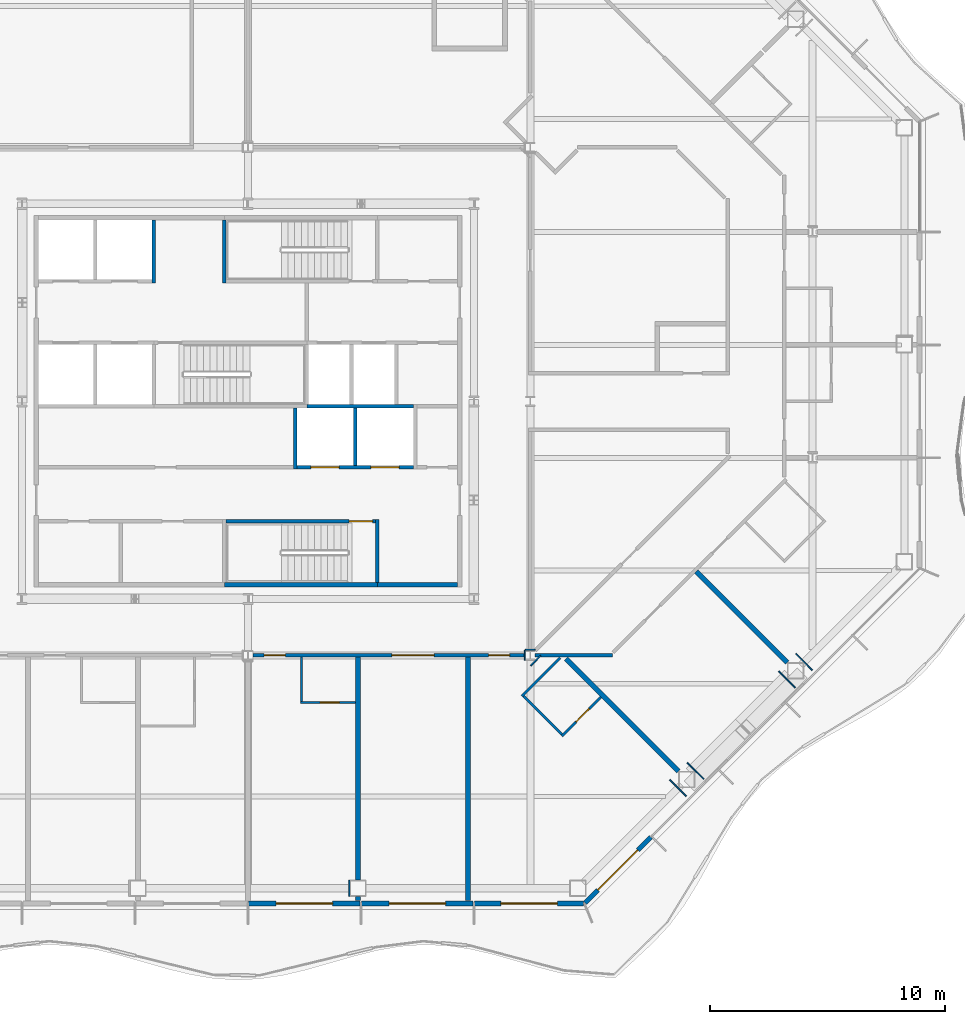
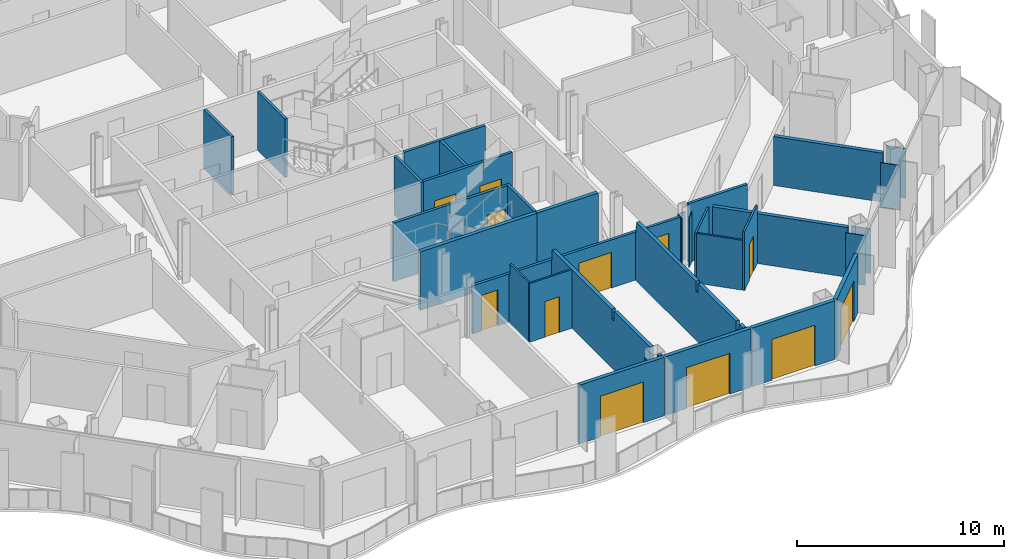
# One storey, part 9 of 21: 34 walls, 12 doors, 12 openings.
"""IFC4 building model written with IfcOpenShell, lengths in metres."""

from ifc_helpers import new_model, si_unit, direction, frame, frame_2d, origin, place, context, subcontext, project, spatial, polyline, rectangle, outline, extrude, material, layer, layer_set, type_object, element, fill, save


model = new_model("IFC4")

# Units and contexts
model_context = context("Model", 3, precision=1e-05, world=origin(), true_north=direction((0.0, 1.0)))
body_context = subcontext(model_context, "Body", "Model", "MODEL_VIEW")
ifc_project = project(units=[si_unit("LENGTHUNIT", "METRE"), si_unit("AREAUNIT", "SQUARE_METRE"), si_unit("VOLUMEUNIT", "CUBIC_METRE"), si_unit("PLANEANGLEUNIT", "RADIAN"), si_unit("MASSUNIT", "GRAM", prefix="KILO")], contexts=[model_context])

# Site, building, storey
site_placement = place(None, origin())
site = spatial("IfcSite", under=ifc_project, at=site_placement, CompositionType="ELEMENT")
building_placement = place(site_placement, origin())
building = spatial("IfcBuilding", under=site, at=building_placement, Name="Cairn Pilgrim Tower", CompositionType="ELEMENT")
storey_placement = place(building_placement, frame((0.0, 0.0, 143.39990234375)))
storey = spatial("IfcBuildingStorey", under=building, at=storey_placement, Name="L35", CompositionType="ELEMENT", Elevation=143.39990234375)

# Wall, opening, door
ifc_material_1 = material(Name="Bronze anodised aluminium insulated sandwich panel with mineral wool fill", Category="aluminium")
ifc_layer_1 = layer(ifc_material_1, 0.199951171875)
ifc_layer_set_1 = layer_set([ifc_layer_1], Name="BRONZE INFILL FRAME WALL 200")
wall_type_1 = type_object("IfcWallType", Name="BRONZE INFILL FRAME WALL 200", PredefinedType="NOTDEFINED", material=ifc_layer_set_1)
wall_1_placement = place(storey_placement, frame((7.22998046875, -18.949951171875, 0.0), z_axis=(0.0, 0.0, 1.0), x_axis=(1.0, 0.0, 0.0)))
wall_1 = element("IfcWall", 1, at=wall_1_placement, inside=storey, type_object=wall_type_1, Name="Bronze infill frame wall IW-S4", PredefinedType="NOTDEFINED", context=body_context, shape_type="SweptSolid", body=[
    extrude(rectangle(XDim=4.739990234375, YDim=0.199951171875, at=frame_2d((2.3701171875, 0.0))), origin(), (0.0, 0.0, 1.0), 3.4501953125),
])
opening_1_placement = place(wall_1_placement, frame((1.169921875, 0.0, 0.0)))
opening_1 = element("IfcOpeningElement", 2, at=opening_1_placement, cuts=wall_1, Name="Opening 3501B", PredefinedType="OPENING", context=body_context, shape_type="SweptSolid", body=[
    extrude(rectangle(XDim=2.39990234375, YDim=2.39990234375, at=frame_2d((1.199951171875, 1.199951171875))), frame((0.0, 0.10986328125, 0.0), z_axis=(0.0, -1.0, 0.0), x_axis=(1.0, 0.0, 0.0)), (0.0, 0.0, 1.0), 0.219970703125),
])
ifc_material_2 = material(Name="Bronze anodised aluminium frame with tinted low-E glass", Category="aluminium")
door_type_1 = type_object("IfcDoorType", Name="BALCONY SLIDING DOOR 2400x2400", OperationType="DOUBLE_DOOR_SLIDING", PredefinedType="DOOR", material=ifc_material_2)
door_1_placement = place(opening_1_placement, origin())
door_1 = element("IfcDoor", 3, at=door_1_placement, inside=storey, type_object=door_type_1, Name="Balcony sliding door 3501B", OperationType="SINGLE_SWING_LEFT", OverallHeight=2.39990234375, OverallWidth=2.39990234375, PredefinedType="DOOR", context=body_context, shape_type="SweptSolid", body=[
    extrude(rectangle(XDim=2.39990234375, YDim=2.39990234375, at=frame_2d((1.199951171875, 1.199951171875))), frame((0.0, 0.02490234375, 0.0), z_axis=(0.0, -1.0, 0.0), x_axis=(1.0, 0.0, 0.0)), (0.0, 0.0, 1.0), 0.050048828125),
])
fill(opening_1, door_1)

wall_2_placement = place(storey_placement, frame((12.030029296875, -18.949951171875, 0.0), z_axis=(0.0, 0.0, 1.0), x_axis=(1.0, 0.0, 0.0)))
wall_2 = element("IfcWall", 4, at=wall_2_placement, inside=storey, type_object=wall_type_1, Name="Bronze infill frame wall IW-S5", PredefinedType="NOTDEFINED", context=body_context, shape_type="SweptSolid", body=[
    extrude(rectangle(XDim=4.739990234375, YDim=0.199951171875, at=frame_2d((2.3701171875, 0.0))), origin(), (0.0, 0.0, 1.0), 3.4501953125),
])
opening_2_placement = place(wall_2_placement, frame((1.169677734375, 0.0, 0.0)))
opening_2 = element("IfcOpeningElement", 5, at=opening_2_placement, cuts=wall_2, Name="Opening 3502B", PredefinedType="OPENING", context=body_context, shape_type="SweptSolid", body=[
    extrude(rectangle(XDim=2.39990234375, YDim=2.39990234375, at=frame_2d((1.199951171875, 1.199951171875))), frame((0.0, 0.10986328125, 0.0), z_axis=(0.0, -1.0, 0.0), x_axis=(1.0, 0.0, 0.0)), (0.0, 0.0, 1.0), 0.219970703125),
])
door_2_placement = place(opening_2_placement, origin())
door_2 = element("IfcDoor", 6, at=door_2_placement, inside=storey, type_object=door_type_1, Name="Balcony sliding door 3502B", OperationType="SINGLE_SWING_LEFT", OverallHeight=2.39990234375, OverallWidth=2.39990234375, PredefinedType="DOOR", context=body_context, shape_type="SweptSolid", body=[
    extrude(rectangle(XDim=2.39990234375, YDim=2.39990234375, at=frame_2d((1.199951171875, 1.199951171875))), frame((0.0, 0.02490234375, 0.0), z_axis=(0.0, -1.0, 0.0), x_axis=(1.0, 0.0, 0.0)), (0.0, 0.0, 1.0), 0.050048828125),
])
fill(opening_2, door_2)

wall_3_placement = place(storey_placement, frame((16.830078125, -18.949951171875, 0.0), z_axis=(0.0, 0.0, 1.0), x_axis=(1.0, 0.0, 0.0)))
wall_3 = element("IfcWall", 7, at=wall_3_placement, inside=storey, type_object=wall_type_1, Name="Bronze infill frame wall IW-S6", PredefinedType="NOTDEFINED", context=body_context, shape_type="SweptSolid", body=[
    extrude(rectangle(XDim=4.62646484375, YDim=0.199951171875, at=frame_2d((2.313232421875, 0.0))), origin(), (0.0, 0.0, 1.0), 3.4501953125),
])
opening_3_placement = place(wall_3_placement, frame((1.118408203125, 0.0, 0.0)))
opening_3 = element("IfcOpeningElement", 8, at=opening_3_placement, cuts=wall_3, Name="Opening 3503B2", PredefinedType="OPENING", context=body_context, shape_type="SweptSolid", body=[
    extrude(rectangle(XDim=2.39990234375, YDim=2.39990234375, at=frame_2d((1.199951171875, 1.199951171875))), frame((0.0, 0.10986328125, 0.0), z_axis=(0.0, -1.0, 0.0), x_axis=(1.0, 0.0, 0.0)), (0.0, 0.0, 1.0), 0.219970703125),
])
door_3_placement = place(opening_3_placement, origin())
door_3 = element("IfcDoor", 9, at=door_3_placement, inside=storey, type_object=door_type_1, Name="Balcony sliding door 3503B2", OperationType="SINGLE_SWING_LEFT", OverallHeight=2.39990234375, OverallWidth=2.39990234375, PredefinedType="DOOR", context=body_context, shape_type="SweptSolid", body=[
    extrude(rectangle(XDim=2.39990234375, YDim=2.39990234375, at=frame_2d((1.199951171875, 1.199951171875))), frame((0.0, 0.02490234375, 0.0), z_axis=(0.0, -1.0, 0.0), x_axis=(1.0, 0.0, 0.0)), (0.0, 0.0, 1.0), 0.050048828125),
])
fill(opening_3, door_3)

wall_4_placement = place(storey_placement, frame((21.524658203125, -18.921630859375, 0.0), z_axis=(0.0, 0.0, 1.0), x_axis=(0.707137595296, 0.707075965734, 0.0)))
wall_4 = element("IfcWall", 10, at=wall_4_placement, inside=storey, type_object=wall_type_1, Name="Bronze infill frame wall IW-SE1", PredefinedType="NOTDEFINED", context=body_context, shape_type="SweptSolid", body=[
    extrude(rectangle(XDim=3.96142578125, YDim=0.199951171875, at=frame_2d((1.980712890625, 0.0))), origin(), (0.0, 0.0, 1.0), 3.4501953125),
])
opening_4_placement = place(wall_4_placement, frame((0.775390625, 0.0, 0.0)))
opening_4 = element("IfcOpeningElement", 11, at=opening_4_placement, cuts=wall_4, Name="Opening 3503B", PredefinedType="OPENING", context=body_context, shape_type="SweptSolid", body=[
    extrude(rectangle(XDim=2.39990234375, YDim=2.39990234375, at=frame_2d((1.199951171875, 1.199951171875))), frame((0.0, 0.10986328125, 0.0), z_axis=(0.0, -1.0, 0.0), x_axis=(1.0, 0.0, 0.0)), (0.0, 0.0, 1.0), 0.219970703125),
])
door_4_placement = place(opening_4_placement, origin())
door_4 = element("IfcDoor", 12, at=door_4_placement, inside=storey, type_object=door_type_1, Name="Balcony sliding door 3503B", OperationType="SINGLE_SWING_LEFT", OverallHeight=2.39990234375, OverallWidth=2.39990234375, PredefinedType="DOOR", context=body_context, shape_type="SweptSolid", body=[
    extrude(rectangle(XDim=2.39990234375, YDim=2.39990234375, at=frame_2d((1.199951171875, 1.199951171875))), frame((0.0, 0.02490234375, 0.0), z_axis=(0.0, -1.0, 0.0), x_axis=(1.0, 0.0, 0.0)), (0.0, 0.0, 1.0), 0.050048828125),
])
fill(opening_4, door_4)

# Wall
ifc_material_3 = material(Name="Concrete C32/40", Category="concrete")
ifc_layer_2 = layer(ifc_material_3, 0.199951171875)
ifc_layer_set_2 = layer_set([ifc_layer_2], Name="CORE OUTER WALL 200 EI 120")
wall_type_2 = type_object("IfcWallType", Name="CORE OUTER WALL 200 EI 120", PredefinedType="SOLIDWALL", material=ifc_layer_set_2)
wall_5_placement = place(storey_placement, frame((12.699951171875, -5.39990234375, 0.0), z_axis=(0.0, 0.0, 1.0), x_axis=(1.0, 0.0, 0.0)))
element("IfcWall", 13, at=wall_5_placement, inside=storey, type_object=wall_type_2, Name="CW:L35:H01-3", PredefinedType="SOLIDWALL", context=body_context, shape_type="SweptSolid", body=[
    extrude(rectangle(XDim=3.400146484375, YDim=0.199951171875, at=frame_2d((1.7001953125, 0.0))), origin(), (0.0, 0.0, 1.0), 3.4501953125),
])

# Wall, openings, doors
ifc_layer_3 = layer(ifc_material_3, 0.14990234375)
ifc_layer_set_3 = layer_set([ifc_layer_3], Name="CORE SHAFT WALL 150 EI 120")
wall_type_3 = type_object("IfcWallType", Name="CORE SHAFT WALL 150 EI 120", PredefinedType="SOLIDWALL", material=ifc_layer_set_3)
wall_6_placement = place(storey_placement, frame((9.27490234375, -0.39990234375, 0.0), z_axis=(0.0, 0.0, 1.0), x_axis=(1.0, 0.0, 0.0)))
wall_6 = element("IfcWall", 14, at=wall_6_placement, inside=storey, type_object=wall_type_3, Name="CW:L35:H05", PredefinedType="SOLIDWALL", context=body_context, shape_type="SweptSolid", body=[
    extrude(rectangle(XDim=4.9501953125, YDim=0.14990234375, at=frame_2d((2.47509765625, 0.0))), origin(), (0.0, 0.0, 1.0), 3.4501953125),
])
opening_5_placement = place(wall_6_placement, frame((0.60009765625, 0.0, 0.0)))
opening_5 = element("IfcOpeningElement", 15, at=opening_5_placement, cuts=wall_6, Name="Opening LD-SV1", PredefinedType="OPENING", context=body_context, shape_type="SweptSolid", body=[
    extrude(rectangle(XDim=1.199951171875, YDim=2.10009765625, at=frame_2d((0.60009765625, 1.050048828125))), frame((0.0, 0.0849609375, 0.0), z_axis=(0.0, -1.0, 0.0), x_axis=(1.0, 0.0, 0.0)), (0.0, 0.0, 1.0), 0.169921875),
])
opening_6_placement = place(wall_6_placement, frame((3.14990234375, 0.0, 0.0)))
opening_6 = element("IfcOpeningElement", 16, at=opening_6_placement, cuts=wall_6, Name="Opening LD-SV2", PredefinedType="OPENING", context=body_context, shape_type="SweptSolid", body=[
    extrude(rectangle(XDim=1.199951171875, YDim=2.10009765625, at=frame_2d((0.60009765625, 1.050048828125))), frame((0.0, 0.0849609375, 0.0), z_axis=(0.0, -1.0, 0.0), x_axis=(1.0, 0.0, 0.0)), (0.0, 0.0, 1.0), 0.169921875),
])
ifc_material_4 = material(Name="Stainless steel", Category="steel")
door_type_2 = type_object("IfcDoorType", Name="LIFT LANDING DOOR 1200x2100", OperationType="DOUBLE_DOOR_SLIDING", PredefinedType="DOOR", material=ifc_material_4)
door_5_placement = place(opening_5_placement, origin())
door_5 = element("IfcDoor", 17, at=door_5_placement, inside=storey, type_object=door_type_2, Name="LANDING DOOR SV1", OperationType="DOUBLE_DOOR_SLIDING", OverallHeight=2.10009765625, OverallWidth=1.199951171875, PredefinedType="DOOR", context=body_context, shape_type="SweptSolid", body=[
    extrude(rectangle(XDim=1.199951171875, YDim=2.10009765625, at=frame_2d((0.60009765625, 1.050048828125))), frame((0.0, 0.02490234375, 0.0), z_axis=(0.0, -1.0, 0.0), x_axis=(1.0, 0.0, 0.0)), (0.0, 0.0, 1.0), 0.050048828125),
])
fill(opening_5, door_5)
door_6_placement = place(opening_6_placement, origin())
door_6 = element("IfcDoor", 18, at=door_6_placement, inside=storey, type_object=door_type_2, Name="LANDING DOOR SV2", OperationType="DOUBLE_DOOR_SLIDING", OverallHeight=2.10009765625, OverallWidth=1.199951171875, PredefinedType="DOOR", context=body_context, shape_type="SweptSolid", body=[
    extrude(rectangle(XDim=1.199951171875, YDim=2.10009765625, at=frame_2d((0.60009765625, 1.050048828125))), frame((0.0, 0.02490234375, 0.0), z_axis=(0.0, -1.0, 0.0), x_axis=(1.0, 0.0, 0.0)), (0.0, 0.0, 1.0), 0.050048828125),
])
fill(opening_6, door_6)

# Walls
wall_7_placement = place(storey_placement, frame((9.699951171875, 2.199951171875, 0.0), z_axis=(0.0, 0.0, 1.0), x_axis=(1.0, 0.0, 0.0)))
element("IfcWall", 19, at=wall_7_placement, inside=storey, type_object=wall_type_3, Name="CW:L35:H07-3", PredefinedType="SOLIDWALL", context=body_context, shape_type="SweptSolid", body=[
    extrude(rectangle(XDim=4.525146484375, YDim=0.14990234375, at=frame_2d((2.2626953125, 0.0))), origin(), (0.0, 0.0, 1.0), 3.4501953125),
])
wall_8_placement = place(storey_placement, frame((3.199951171875, 7.425048828125, 0.0), z_axis=(0.0, 0.0, 1.0), x_axis=(0.0, 1.0, 0.0)))
element("IfcWall", 20, at=wall_8_placement, inside=storey, type_object=wall_type_3, Name="CW:L35:V18", PredefinedType="SOLIDWALL", context=body_context, shape_type="SweptSolid", body=[
    extrude(rectangle(XDim=2.675048828125, YDim=0.14990234375, at=frame_2d((1.33740234375, 0.0))), origin(), (0.0, 0.0, 1.0), 3.4501953125),
])
wall_9_placement = place(storey_placement, frame((9.199951171875, -0.47509765625, 0.0), z_axis=(0.0, 0.0, 1.0), x_axis=(0.0, 1.0, 0.0)))
element("IfcWall", 21, at=wall_9_placement, inside=storey, type_object=wall_type_3, Name="CW:L35:V21", PredefinedType="SOLIDWALL", context=body_context, shape_type="SweptSolid", body=[
    extrude(rectangle(XDim=2.60009765625, YDim=0.14990234375, at=frame_2d((1.300048828125, 0.0))), origin(), (0.0, 0.0, 1.0), 3.4501953125),
])
wall_10_placement = place(storey_placement, frame((11.75, -0.324951171875, 0.0), z_axis=(0.0, 0.0, 1.0), x_axis=(0.0, 1.0, 0.0)))
element("IfcWall", 22, at=wall_10_placement, inside=storey, type_object=wall_type_3, Name="CW:L35:V25", PredefinedType="SOLIDWALL", context=body_context, shape_type="SweptSolid", body=[
    extrude(rectangle(XDim=2.449951171875, YDim=0.14990234375, at=frame_2d((1.22509765625, 0.0))), origin(), (0.0, 0.0, 1.0), 3.4501953125),
])

# Wall, opening, door
ifc_material_5 = material(Name="Gypsum partition")
ifc_layer_4 = layer(ifc_material_5, 0.10009765625)
ifc_layer_set_4 = layer_set([ifc_layer_4], Name="PARTITION 100 DRYWALL")
wall_type_4 = type_object("IfcWallType", Name="PARTITION 100 DRYWALL", PredefinedType="PARTITIONING", material=ifc_layer_set_4)
wall_11_placement = place(storey_placement, frame((20.54052734375, -11.829345703125, 0.0), z_axis=(0.0, 0.0, 1.0), x_axis=(0.707158722772, 0.707054835785, 0.0)))
wall_11 = element("IfcWall", 23, at=wall_11_placement, inside=storey, type_object=wall_type_4, Name="PARTITION W012", PredefinedType="PARTITIONING", context=body_context, shape_type="SweptSolid", body=[
    extrude(rectangle(XDim=2.35009765625, YDim=0.10009765625, at=frame_2d((1.175048828125, 0.0))), origin(), (0.0, 0.0, 1.0), 3.4501953125),
])
opening_7_placement = place(wall_11_placement, frame((0.85009765625, 0.0, 0.0)))
opening_7 = element("IfcOpeningElement", 24, at=opening_7_placement, cuts=wall_11, Name="Opening 3503A", PredefinedType="OPENING", context=body_context, shape_type="SweptSolid", body=[
    extrude(rectangle(XDim=0.800048828125, YDim=2.10009765625, at=frame_2d((0.39990234375, 1.050048828125))), frame((0.0, 0.06005859375, 0.0), z_axis=(0.0, -1.0, 0.0), x_axis=(1.0, 0.0, 0.0)), (0.0, 0.0, 1.0), 0.1201171875),
])
ifc_material_6 = material(Name="Timber door leaf", Category="wood")
door_type_3 = type_object("IfcDoorType", Name="WC DOOR 800x2100", OperationType="NOTDEFINED", PredefinedType="DOOR", material=ifc_material_6)
door_7_placement = place(opening_7_placement, frame((0.800048828125, 0.0, 0.0), z_axis=(0.0, 0.0, 1.0), x_axis=(-1.0, 0.0, 0.0)))
door_7 = element("IfcDoor", 25, at=door_7_placement, inside=storey, type_object=door_type_3, Name="DOOR 3503A", OperationType="SINGLE_SWING_LEFT", OverallHeight=2.10009765625, OverallWidth=0.800048828125, PredefinedType="DOOR", context=body_context, shape_type="SweptSolid", body=[
    extrude(rectangle(XDim=0.800048828125, YDim=2.10009765625, at=frame_2d((0.39990234375, 1.050048828125))), frame((0.0, 0.02490234375, 0.0), z_axis=(0.0, -1.0, 0.0), x_axis=(1.0, 0.0, 0.0)), (0.0, 0.0, 1.0), 0.050048828125),
])
fill(opening_7, door_7)

# Wall
wall_12_placement = place(storey_placement, frame((20.54052734375, -11.758544921875, 0.0), z_axis=(0.0, 0.0, 1.0), x_axis=(-0.707106781187, 0.707106781187, 0.0)))
element("IfcWall", 26, at=wall_12_placement, inside=storey, type_object=wall_type_4, Name="PARTITION W013", PredefinedType="PARTITIONING", context=body_context, shape_type="SweptSolid", body=[
    extrude(rectangle(XDim=2.2998046875, YDim=0.10009765625, at=frame_2d((1.14990234375, 0.0))), origin(), (0.0, 0.0, 1.0), 2.93017578125),
])

# Wall, opening, door
wall_13_placement = place(storey_placement, frame((9.426025390625, -10.39990234375, 0.0), z_axis=(0.0, 0.0, 1.0), x_axis=(1.0, 0.0, 0.0)))
wall_13 = element("IfcWall", 27, at=wall_13_placement, inside=storey, type_object=wall_type_4, Name="PARTITION W018", PredefinedType="PARTITIONING", context=body_context, shape_type="SweptSolid", body=[
    extrude(rectangle(XDim=2.349853515625, YDim=0.10009765625, at=frame_2d((1.1748046875, 0.0))), origin(), (0.0, 0.0, 1.0), 3.4501953125),
])
opening_8_placement = place(wall_13_placement, frame((0.85009765625, 0.0, 0.0)))
opening_8 = element("IfcOpeningElement", 28, at=opening_8_placement, cuts=wall_13, Name="Opening 3501A", PredefinedType="OPENING", context=body_context, shape_type="SweptSolid", body=[
    extrude(rectangle(XDim=0.800048828125, YDim=2.10009765625, at=frame_2d((0.39990234375, 1.050048828125))), frame((0.0, 0.06005859375, 0.0), z_axis=(0.0, -1.0, 0.0), x_axis=(1.0, 0.0, 0.0)), (0.0, 0.0, 1.0), 0.1201171875),
])
door_8_placement = place(opening_8_placement, frame((0.800048828125, 0.0, 0.0), z_axis=(0.0, 0.0, 1.0), x_axis=(-1.0, 0.0, 0.0)))
door_8 = element("IfcDoor", 29, at=door_8_placement, inside=storey, type_object=door_type_3, Name="DOOR 3501A", OperationType="SINGLE_SWING_LEFT", OverallHeight=2.10009765625, OverallWidth=0.800048828125, PredefinedType="DOOR", context=body_context, shape_type="SweptSolid", body=[
    extrude(rectangle(XDim=0.800048828125, YDim=2.10009765625, at=frame_2d((0.39990234375, 1.050048828125))), frame((0.0, 0.02490234375, 0.0), z_axis=(0.0, -1.0, 0.0), x_axis=(1.0, 0.0, 0.0)), (0.0, 0.0, 1.0), 0.050048828125),
])
fill(opening_8, door_8)

# Walls
wall_14_placement = place(storey_placement, frame((9.47607421875, -10.35009765625, 0.0), z_axis=(0.0, 0.0, 1.0), x_axis=(0.0, 1.0, 0.0)))
element("IfcWall", 30, at=wall_14_placement, inside=storey, type_object=wall_type_4, Name="PARTITION W020", PredefinedType="PARTITIONING", context=body_context, shape_type="SweptSolid", body=[
    extrude(outline(polyline([(0.0, 0.0), (1.875, 0.0), (1.875, 2.830078125), (1.800048828125, 2.830078125), (1.798095703125, 3.4501953125), (0.0, 3.4501953125), (0.0, 0.0)])), frame((0.0, 0.050048828125, 0.0), z_axis=(0.0, -1.0, 0.0), x_axis=(1.0, 0.0, 0.0)), (0.0, 0.0, 1.0), 0.10009765625),
])
wall_15_placement = place(storey_placement, frame((18.843505859375, -10.13232421875, 0.0), z_axis=(0.0, 0.0, 1.0), x_axis=(0.707159989116, 0.707053569253, 0.0)))
element("IfcWall", 31, at=wall_15_placement, inside=storey, type_object=wall_type_4, Name="PARTITION W022", PredefinedType="PARTITIONING", context=body_context, shape_type="SweptSolid", body=[
    extrude(rectangle(XDim=2.294189453125, YDim=0.10009765625, at=frame_2d((1.14697265625, 0.0))), origin(), (0.0, 0.0, 1.0), 2.93017578125),
])

# Wall, openings, doors
ifc_layer_5 = layer(ifc_material_5, 0.14990234375)
ifc_layer_set_5 = layer_set([ifc_layer_5], Name="PARTITION 150 DRYWALL EI 60")
wall_type_5 = type_object("IfcWallType", Name="PARTITION 150 DRYWALL EI 60", PredefinedType="PARTITIONING", material=ifc_layer_set_5)
wall_16_placement = place(storey_placement, frame((7.404541015625, -8.39990234375, 0.0), z_axis=(0.0, 0.0, 1.0), x_axis=(1.0, 0.0, 0.0)))
wall_16 = element("IfcWall", 32, at=wall_16_placement, inside=storey, type_object=wall_type_5, Name="PARTITION W027", PredefinedType="PARTITIONING", context=body_context, shape_type="SweptSolid", body=[
    extrude(rectangle(XDim=11.591064453125, YDim=0.14990234375, at=frame_2d((5.79541015625, 0.0))), origin(), (0.0, 0.0, 1.0), 2.830078125),
])
opening_9_placement = place(wall_16_placement, frame((0.4833984375, 0.0, 0.0)))
opening_9 = element("IfcOpeningElement", 33, at=opening_9_placement, cuts=wall_16, Name="Opening 3501", PredefinedType="OPENING", context=body_context, shape_type="SweptSolid", body=[
    extrude(rectangle(XDim=0.89990234375, YDim=2.10009765625, at=frame_2d((0.449951171875, 1.050048828125))), frame((0.0, 0.0849609375, 0.0), z_axis=(0.0, -1.0, 0.0), x_axis=(1.0, 0.0, 0.0)), (0.0, 0.0, 1.0), 0.169921875),
])
opening_10_placement = place(wall_16_placement, frame((5.909423828125, 0.0, 0.0)))
opening_10 = element("IfcOpeningElement", 34, at=opening_10_placement, cuts=wall_16, Name="Opening 3502", PredefinedType="OPENING", context=body_context, shape_type="SweptSolid", body=[
    extrude(rectangle(XDim=1.800048828125, YDim=2.10009765625, at=frame_2d((0.89990234375, 1.050048828125))), frame((0.0, 0.0849609375, 0.0), z_axis=(0.0, -1.0, 0.0), x_axis=(1.0, 0.0, 0.0)), (0.0, 0.0, 1.0), 0.169921875),
])
opening_11_placement = place(wall_16_placement, frame((10.021484375, 0.0, 0.0)))
opening_11 = element("IfcOpeningElement", 35, at=opening_11_placement, cuts=wall_16, Name="Opening 3503", PredefinedType="OPENING", context=body_context, shape_type="SweptSolid", body=[
    extrude(rectangle(XDim=0.89990234375, YDim=2.10009765625, at=frame_2d((0.449951171875, 1.050048828125))), frame((0.0, 0.0849609375, 0.0), z_axis=(0.0, -1.0, 0.0), x_axis=(1.0, 0.0, 0.0)), (0.0, 0.0, 1.0), 0.169921875),
])
door_type_4 = type_object("IfcDoorType", Name="DOOR PAIR 1800x2100 FD60S", OperationType="NOTDEFINED", PredefinedType="DOOR", material=ifc_material_6)
door_9_placement = place(opening_10_placement, frame((1.800048828125, 0.0, 0.0), z_axis=(0.0, 0.0, 1.0), x_axis=(-1.0, 0.0, 0.0)))
door_9 = element("IfcDoor", 36, at=door_9_placement, inside=storey, type_object=door_type_4, Name="DOOR 3502", OperationType="DOUBLE_DOOR_SINGLE_SWING", OverallHeight=2.10009765625, OverallWidth=1.800048828125, PredefinedType="DOOR", context=body_context, shape_type="SweptSolid", body=[
    extrude(rectangle(XDim=1.800048828125, YDim=2.10009765625, at=frame_2d((0.89990234375, 1.050048828125))), frame((0.0, 0.02490234375, 0.0), z_axis=(0.0, -1.0, 0.0), x_axis=(1.0, 0.0, 0.0)), (0.0, 0.0, 1.0), 0.050048828125),
])
fill(opening_10, door_9)
door_type_5 = type_object("IfcDoorType", Name="ROOM DOOR 900x2100 FD30S", OperationType="NOTDEFINED", PredefinedType="DOOR", material=ifc_material_6)
door_10_placement = place(opening_9_placement, frame((0.89990234375, 0.0, 0.0), z_axis=(0.0, 0.0, 1.0), x_axis=(-1.0, 0.0, 0.0)))
door_10 = element("IfcDoor", 37, at=door_10_placement, inside=storey, type_object=door_type_5, Name="DOOR 3501", OperationType="SINGLE_SWING_LEFT", OverallHeight=2.10009765625, OverallWidth=0.89990234375, PredefinedType="DOOR", context=body_context, shape_type="SweptSolid", body=[
    extrude(rectangle(XDim=0.89990234375, YDim=2.10009765625, at=frame_2d((0.449951171875, 1.050048828125))), frame((0.0, 0.02490234375, 0.0), z_axis=(0.0, -1.0, 0.0), x_axis=(1.0, 0.0, 0.0)), (0.0, 0.0, 1.0), 0.050048828125),
])
fill(opening_9, door_10)
door_11_placement = place(opening_11_placement, frame((0.89990234375, 0.0, 0.0), z_axis=(0.0, 0.0, 1.0), x_axis=(-1.0, 0.0, 0.0)))
door_11 = element("IfcDoor", 38, at=door_11_placement, inside=storey, type_object=door_type_5, Name="DOOR 3503", OperationType="SINGLE_SWING_LEFT", OverallHeight=2.10009765625, OverallWidth=0.89990234375, PredefinedType="DOOR", context=body_context, shape_type="SweptSolid", body=[
    extrude(rectangle(XDim=0.89990234375, YDim=2.10009765625, at=frame_2d((0.449951171875, 1.050048828125))), frame((0.0, 0.02490234375, 0.0), z_axis=(0.0, -1.0, 0.0), x_axis=(1.0, 0.0, 0.0)), (0.0, 0.0, 1.0), 0.050048828125),
])
fill(opening_11, door_11)

# Walls
wall_17_placement = place(storey_placement, frame((19.404541015625, -8.39990234375, 0.0), z_axis=(0.0, 0.0, 1.0), x_axis=(1.0, 0.0, 0.0)))
element("IfcWall", 39, at=wall_17_placement, inside=storey, type_object=wall_type_5, Name="PARTITION W028", PredefinedType="PARTITIONING", context=body_context, shape_type="SweptSolid", body=[
    extrude(rectangle(XDim=3.29541015625, YDim=0.14990234375, at=frame_2d((1.647705078125, 0.0))), origin(), (0.0, 0.0, 1.0), 3.4501953125),
])
ifc_layer_6 = layer(ifc_material_5, 0.050048828125)
ifc_layer_set_6 = layer_set([ifc_layer_6], Name="PARTITION 50 DRYWALL EI 60")
wall_type_6 = type_object("IfcWallType", Name="PARTITION 50 DRYWALL EI 60", PredefinedType="PARTITIONING", material=ifc_layer_set_6)
wall_18_placement = place(storey_placement, frame((11.500732421875, -18.64990234375, 0.0), z_axis=(0.0, 0.0, 1.0), x_axis=(0.0, 1.0, 0.0)))
element("IfcWall", 40, at=wall_18_placement, inside=storey, type_object=wall_type_6, Name="COLUMN CASING WC03", PredefinedType="PARTITIONING", context=body_context, shape_type="SweptSolid", body=[
    extrude(rectangle(XDim=0.699951171875, YDim=0.050048828125, at=frame_2d((0.35009765625, 0.0))), origin(), (0.0, 0.0, 1.0), 2.93017578125),
])
wall_19_placement = place(storey_placement, frame((25.833740234375, -14.393310546875, 0.0), z_axis=(0.0, 0.0, 1.0), x_axis=(-0.707106781187, 0.707106781187, 0.0)))
element("IfcWall", 41, at=wall_19_placement, inside=storey, type_object=wall_type_6, Name="COLUMN CASING WC06", PredefinedType="PARTITIONING", context=body_context, shape_type="SweptSolid", body=[
    extrude(rectangle(XDim=0.989990234375, YDim=0.050048828125, at=frame_2d((0.4951171875, 0.0))), origin(), (0.0, 0.0, 1.0), 2.93017578125),
])
for number, where, z_axis, x_axis, name in (
    (42, (26.569091796875, -13.657958984375, 0.0), (0.0, 0.0, 1.0), (-0.707106781187, 0.707106781187, 0.0), "COLUMN CASING WC07"),
    (43, (30.4580078125, -9.769287109375, 0.0), (0.0, 0.0, 1.0), (-0.706983473703, 0.707230067171, 0.0), "COLUMN CASING WC09"),
):
    element("IfcWall", number, at=place(storey_placement, frame(where, z_axis=z_axis, x_axis=x_axis)), inside=storey, type_object=wall_type_6, Name=name, PredefinedType="PARTITIONING", context=body_context, shape_type="SweptSolid", body=[
        extrude(rectangle(XDim=0.989990234375, YDim=0.050048828125, at=frame_2d((0.4951171875, 0.0))), origin(), (0.0, 0.0, 1.0), 2.630126953125),
    ])
wall_20_placement = place(storey_placement, frame((31.193359375, -9.03369140625, 0.0), z_axis=(0.0, 0.0, 1.0), x_axis=(-0.707106781187, 0.707106781187, 0.0)))
element("IfcWall", 44, at=wall_20_placement, inside=storey, type_object=wall_type_6, Name="COLUMN CASING WC10", PredefinedType="PARTITIONING", context=body_context, shape_type="SweptSolid", body=[
    extrude(rectangle(XDim=0.989990234375, YDim=0.050048828125, at=frame_2d((0.4951171875, 0.0))), origin(), (0.0, 0.0, 1.0), 2.93017578125),
])
wall_21_placement = place(storey_placement, frame((18.99560546875, -8.16259765625, 0.0), z_axis=(0.0, 0.0, 1.0), x_axis=(1.0, 0.0, 0.0)))
element("IfcWall", 45, at=wall_21_placement, inside=storey, type_object=wall_type_6, Name="COLUMN CASING WC13", PredefinedType="PARTITIONING", context=body_context, shape_type="SweptSolid", body=[
    extrude(rectangle(XDim=0.408935546875, YDim=0.050048828125, at=frame_2d((0.20458984375, 0.0))), origin(), (0.0, 0.0, 1.0), 2.830078125),
])
wall_22_placement = place(storey_placement, frame((18.970458984375, -8.612548828125, 0.0), z_axis=(0.0, 0.0, 1.0), x_axis=(0.0, 1.0, 0.0)))
element("IfcWall", 46, at=wall_22_placement, inside=storey, type_object=wall_type_6, Name="COLUMN CASING WC16", PredefinedType="PARTITIONING", context=body_context, shape_type="SweptSolid", body=[
    extrude(rectangle(XDim=0.425048828125, YDim=0.050048828125, at=frame_2d((0.21240234375, 0.0))), origin(), (0.0, 0.0, 1.0), 2.830078125),
])
wall_23_placement = place(storey_placement, frame((19.2177734375, -8.834716796875, 0.0), z_axis=(0.0, 0.0, 1.0), x_axis=(0.707106781187, 0.707106781187, 0.0)))
element("IfcWall", 47, at=wall_23_placement, inside=storey, type_object=wall_type_6, Name="COLUMN CASING WC17", PredefinedType="PARTITIONING", context=body_context, shape_type="SweptSolid", body=[
    extrude(rectangle(XDim=0.589599609375, YDim=0.050048828125, at=frame_2d((0.294921875, 0.0))), origin(), (0.0, 0.0, 1.0), 2.93017578125),
])
ifc_layer_7 = layer(ifc_material_5, 0.199951171875)
ifc_layer_set_7 = layer_set([ifc_layer_7], Name="SHAFT WALL 200 GYPSUM EI 60")
wall_type_7 = type_object("IfcWallType", Name="SHAFT WALL 200 GYPSUM EI 60", PredefinedType="PARTITIONING", material=ifc_layer_set_7)
wall_24_placement = place(storey_placement, frame((11.8759765625, -18.820068359375, 0.0), z_axis=(0.0, 0.0, 1.0), x_axis=(0.0, 1.0, 0.0)))
element("IfcWall", 48, at=wall_24_placement, inside=storey, type_object=wall_type_7, Name="PARTITION W004", PredefinedType="PARTITIONING", context=body_context, shape_type="SweptSolid", body=[
    extrude(rectangle(XDim=0.170166015625, YDim=0.199951171875, at=frame_2d((0.0849609375, 0.0))), origin(), (0.0, 0.0, 1.0), 3.4501953125),
])
wall_25_placement = place(storey_placement, frame((16.552001953125, -18.820068359375, 0.0), z_axis=(0.0, 0.0, 1.0), x_axis=(0.0, 1.0, 0.0)))
element("IfcWall", 49, at=wall_25_placement, inside=storey, type_object=wall_type_7, Name="PARTITION W005", PredefinedType="PARTITIONING", context=body_context, shape_type="SweptSolid", body=[
    extrude(outline(polyline([(0.0, 0.0), (10.344970703125, 0.0), (10.344970703125, 2.830078125), (10.27001953125, 2.830078125), (10.26806640625, 3.4501953125), (4.52490234375, 3.4501953125), (4.52294921875, 2.880126953125), (4.31494140625, 2.880126953125), (4.31298828125, 3.4501953125), (0.669921875, 3.4501953125), (0.66796875, 2.93017578125), (0.3701171875, 2.93017578125), (0.367919921875, 3.4501953125), (0.0, 3.4501953125), (0.0, 0.0)])), frame((0.0, 0.10009765625, 0.0), z_axis=(0.0, -1.0, 0.0), x_axis=(1.0, 0.0, 0.0)), (0.0, 0.0, 1.0), 0.199951171875),
])
wall_26_placement = place(storey_placement, frame((11.8759765625, -17.949951171875, 0.0), z_axis=(0.0, 0.0, 1.0), x_axis=(0.0, 1.0, 0.0)))
element("IfcWall", 50, at=wall_26_placement, inside=storey, type_object=wall_type_7, Name="PARTITION W007", PredefinedType="PARTITIONING", context=body_context, shape_type="SweptSolid", body=[
    extrude(outline(polyline([(0.0, 0.0), (9.474853515625, 0.0), (9.47509765625, 2.830078125), (9.39990234375, 2.830078125), (9.39794921875, 3.4501953125), (3.655029296875, 3.4501953125), (3.653076171875, 2.880126953125), (3.445068359375, 2.880126953125), (3.443115234375, 3.4501953125), (0.0, 3.4501953125), (0.0, 0.0)])), frame((0.0, 0.10009765625, 0.0), z_axis=(0.0, -1.0, 0.0), x_axis=(1.0, 0.0, 0.0)), (0.0, 0.0, 1.0), 0.199951171875),
])
wall_27_placement = place(storey_placement, frame((25.501708984375, -13.32568359375, 0.0), z_axis=(0.0, 0.0, 1.0), x_axis=(-0.707106781187, 0.707106781187, 0.0)))
element("IfcWall", 51, at=wall_27_placement, inside=storey, type_object=wall_type_7, Name="PARTITION W009", PredefinedType="PARTITIONING", context=body_context, shape_type="SweptSolid", body=[
    extrude(rectangle(XDim=6.760009765625, YDim=0.199951171875, at=frame_2d((3.3798828125, 0.0))), origin(), (0.0, 0.0, 1.0), 2.93017578125),
])
wall_28_placement = place(storey_placement, frame((30.12548828125, -8.70166015625, 0.0), z_axis=(0.0, 0.0, 1.0), x_axis=(-0.707084440093, 0.707129121574, 0.0)))
element("IfcWall", 52, at=wall_28_placement, inside=storey, type_object=wall_type_7, Name="PARTITION W024", PredefinedType="PARTITIONING", context=body_context, shape_type="SweptSolid", body=[
    extrude(rectangle(XDim=5.464111328125, YDim=0.199951171875, at=frame_2d((2.73193359375, 0.0))), origin(), (0.0, 0.0, 1.0), 2.880126953125),
])

# Wall, opening, door
ifc_material_7 = material(Name="Concrete C35/45", Category="concrete")
ifc_layer_8 = layer(ifc_material_7, 0.14990234375)
ifc_layer_set_8 = layer_set([ifc_layer_8], Name="STAIR SHAFT WALL 150 EI 120")
wall_type_8 = type_object("IfcWallType", Name="STAIR SHAFT WALL 150 EI 120", PredefinedType="SOLIDWALL", material=ifc_layer_set_8)
wall_29_placement = place(storey_placement, frame((6.27490234375, -2.699951171875, 0.0), z_axis=(0.0, 0.0, 1.0), x_axis=(1.0, 0.0, 0.0)))
wall_29 = element("IfcWall", 53, at=wall_29_placement, inside=storey, type_object=wall_type_8, Name="CW:L35:H03", PredefinedType="SOLIDWALL", context=body_context, shape_type="SweptSolid", body=[
    extrude(rectangle(XDim=6.35009765625, YDim=0.14990234375, at=frame_2d((3.175048828125, 0.0))), origin(), (0.0, 0.0, 1.0), 3.4501953125),
])
opening_12_placement = place(wall_29_placement, frame((5.22509765625, 0.0, 0.0)))
opening_12 = element("IfcOpeningElement", 54, at=opening_12_placement, cuts=wall_29, Name="Opening SD-A", PredefinedType="OPENING", context=body_context, shape_type="SweptSolid", body=[
    extrude(rectangle(XDim=1.0, YDim=2.10009765625, at=frame_2d((0.5, 1.050048828125))), frame((0.0, 0.0849609375, 0.0), z_axis=(0.0, -1.0, 0.0), x_axis=(1.0, 0.0, 0.0)), (0.0, 0.0, 1.0), 0.169921875),
])
ifc_material_8 = material(Name="Painted steel", Category="steel")
door_type_6 = type_object("IfcDoorType", Name="STAIR DOOR FD60S 1000x2100", OperationType="SINGLE_SWING_LEFT", PredefinedType="DOOR", material=ifc_material_8)
door_12_placement = place(opening_12_placement, origin())
door_12 = element("IfcDoor", 55, at=door_12_placement, inside=storey, type_object=door_type_6, Name="SD-A", OperationType="SINGLE_SWING_RIGHT", OverallHeight=2.10009765625, OverallWidth=1.0, PredefinedType="DOOR", context=body_context, shape_type="SweptSolid", body=[
    extrude(rectangle(XDim=1.0, YDim=2.10009765625, at=frame_2d((0.5, 1.050048828125))), frame((0.0, 0.02490234375, 0.0), z_axis=(0.0, -1.0, 0.0), x_axis=(1.0, 0.0, 0.0)), (0.0, 0.0, 1.0), 0.050048828125),
])
fill(opening_12, door_12)

# Walls
for number, where, z_axis, x_axis, name in (
    (56, (6.199951171875, 7.425048828125, 0.0), (0.0, 0.0, 1.0), (0.0, 1.0, 0.0), "CW:L35:V20"),
    (57, (12.699951171875, -5.300048828125, 0.0), (0.0, 0.0, 1.0), (0.0, 1.0, 0.0), "CW:L35:V26"),
):
    element("IfcWall", number, at=place(storey_placement, frame(where, z_axis=z_axis, x_axis=x_axis)), inside=storey, type_object=wall_type_8, Name=name, PredefinedType="SOLIDWALL", context=body_context, shape_type="SweptSolid", body=[
        extrude(rectangle(XDim=2.675048828125, YDim=0.14990234375, at=frame_2d((1.33740234375, 0.0))), origin(), (0.0, 0.0, 1.0), 3.4501953125),
    ])
ifc_layer_9 = layer(ifc_material_7, 0.199951171875)
ifc_layer_set_9 = layer_set([ifc_layer_9], Name="STAIR SHAFT WALL 200 EI 120")
wall_type_9 = type_object("IfcWallType", Name="STAIR SHAFT WALL 200 EI 120", PredefinedType="SOLIDWALL", material=ifc_layer_set_9)
wall_30_placement = place(storey_placement, frame((6.199951171875, -5.39990234375, 0.0), z_axis=(0.0, 0.0, 1.0), x_axis=(1.0, 0.0, 0.0)))
element("IfcWall", 58, at=wall_30_placement, inside=storey, type_object=wall_type_9, Name="CW:L35:H01-2", PredefinedType="SOLIDWALL", context=body_context, shape_type="SweptSolid", body=[
    extrude(rectangle(XDim=6.5, YDim=0.199951171875, at=frame_2d((3.25, 0.0))), origin(), (0.0, 0.0, 1.0), 3.4501953125),
])

save(model, "model.ifc")
